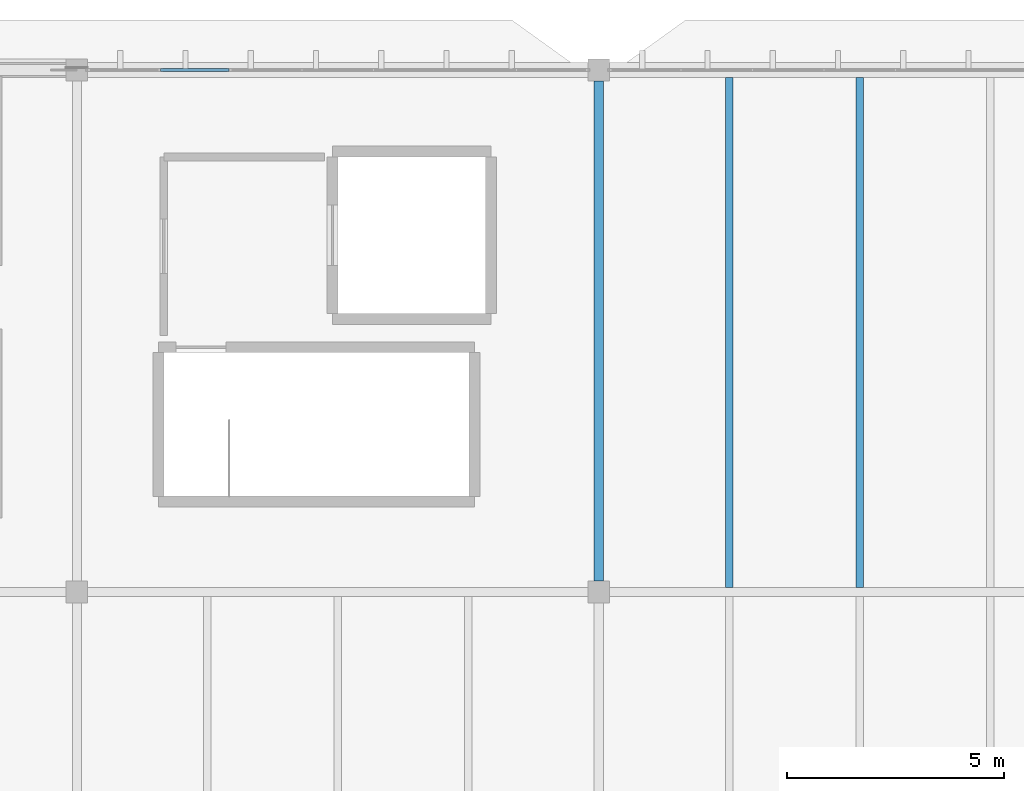
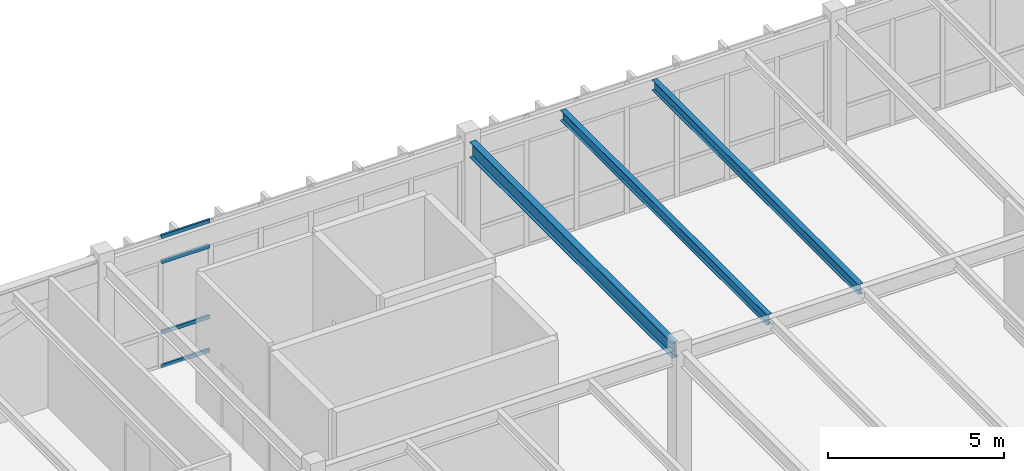
# One storey, part 110 of 236: 4 members, 3 beams, 1 element without a shape of its own.
"""IFC4 building model written with IfcOpenShell, lengths in metres."""

import ifcopenshell
import ifcopenshell.guid

model = None  # the IFC model being written
_history = None  # IfcOwnerHistory: only IFC2X3 demands one
_inside = {}  # id of a spatial element -> (the spatial element, [elements in it])
_under = {}  # id of a project, library or spatial element -> (it, [spatial elements below it])
_declared = {}  # id of a project -> (the project, [libraries it declares])
_typed = {}  # id of a type object -> (the type object, [elements of that type])
_made_of = {}  # id of a material, layer set ... -> (it, [elements and type objects made of it])


def new_model(schema):
    """Start an empty IFC model of exactly this schema.

    Asked for "IFC4X3", IfcOpenShell would pick the latest addendum, in which some entities
    have other attributes; the version numbers below select the first issue.
    IFC2X3 requires an IfcOwnerHistory on every rooted entity: one is made here for all.
    """
    global model, _history
    if schema == "IFC4X3":
        model = ifcopenshell.file(schema_version=(4, 3, 0, 0))
    else:
        model = ifcopenshell.file(schema=schema)
    _inside.clear()
    _under.clear()
    _declared.clear()
    _typed.clear()
    _made_of.clear()
    _history = None
    if model.schema == "IFC2X3":
        org = make("IfcOrganization", Name="unknown")
        user = make(
            "IfcPersonAndOrganization",
            ThePerson=make("IfcPerson", FamilyName="unknown"),
            TheOrganization=org,
        )
        app = make(
            "IfcApplication",
            ApplicationDeveloper=org,
            Version="unknown",
            ApplicationFullName="unknown",
            ApplicationIdentifier="unknown",
        )
        _history = make(
            "IfcOwnerHistory",
            OwningUser=user,
            OwningApplication=app,
            ChangeAction="ADDED",
            CreationDate=0,
        )
    return model


def make(cls, **values):
    """One entity of the class cls with the attributes given. An attribute that is None is left unset."""
    return model.create_entity(
        cls, **{name: value for name, value in values.items() if value is not None}
    )


def rooted(cls, **values):
    """An entity with a GlobalId (a new one), such as an element, a storey or a relation."""
    return make(cls, GlobalId=ifcopenshell.guid.new(), OwnerHistory=_history, **values)


def si_unit(unit_type, name, prefix=None):
    """IfcSIUnit, for example si_unit("LENGTHUNIT", "METRE", prefix="MILLI")."""
    return make("IfcSIUnit", UnitType=unit_type, Prefix=prefix, Name=name)


def assignment(units):
    """IfcUnitAssignment: the units of a project."""
    return None if units is None else make("IfcUnitAssignment", Units=units)


def point(xyz):
    """IfcCartesianPoint."""
    return None if xyz is None else make("IfcCartesianPoint", Coordinates=xyz)


def direction(xyz):
    """IfcDirection."""
    return None if xyz is None else make("IfcDirection", DirectionRatios=xyz)


def frame(location, z_axis=None, x_axis=None):
    """IfcAxis2Placement3D, a coordinate frame: its origin and axes. An axis left out is left unset."""
    return make(
        "IfcAxis2Placement3D",
        Location=point(location),
        Axis=direction(z_axis),
        RefDirection=direction(x_axis),
    )


def frame_2d(location, x_axis=None):
    """IfcAxis2Placement2D, a coordinate frame in the plane: its origin and x axis."""
    return make(
        "IfcAxis2Placement2D", Location=point(location), RefDirection=direction(x_axis)
    )


def origin():
    """The frame at (0, 0, 0) with its axes left unset."""
    return frame((0.0, 0.0, 0.0))


def origin_2d():
    """The frame at (0, 0) in the plane with its x axis left unset."""
    return frame_2d((0.0, 0.0))


def place(relative_to, where):
    """IfcLocalPlacement: puts the frame where relative to a parent placement (None: the world)."""
    return make(
        "IfcLocalPlacement", PlacementRelTo=relative_to, RelativePlacement=where
    )


def context(
    kind, dimensions, precision=None, world=None, true_north=None, identifier=None
):
    """IfcGeometricRepresentationContext, for example the 3D "Model" context."""
    return make(
        "IfcGeometricRepresentationContext",
        ContextIdentifier=identifier,
        ContextType=kind,
        CoordinateSpaceDimension=dimensions,
        Precision=precision,
        WorldCoordinateSystem=world,
        TrueNorth=true_north,
    )


def subcontext(parent, identifier, kind, view, scale=None):
    """IfcGeometricRepresentationSubContext, for example "Body" below "Model"."""
    return make(
        "IfcGeometricRepresentationSubContext",
        ContextIdentifier=identifier,
        ContextType=kind,
        ParentContext=parent,
        TargetScale=scale,
        TargetView=view,
    )


def project(units=None, contexts=None):
    """IfcProject with its units and contexts."""
    return rooted(
        "IfcProject",
        Name="project",
        RepresentationContexts=contexts,
        UnitsInContext=assignment(units),
    )


def spatial(cls, under=None, at=None, **own):
    """A site, building, storey or space (cls), placed at a placement, below another one or the project."""
    s = rooted(cls, ObjectPlacement=at, **own)
    if under is not None:
        _under.setdefault(under.id(), (under, []))[1].append(s)
    return s


def profile(cls, at=None, kind="AREA", **sizes):
    """A parametric profile (cls). Its sizes go by their IFC names, for example OverallWidth=200.0."""
    return make(cls, ProfileType=kind, Position=at, **sizes)


def hollow_rectangle(**sizes):
    """IfcRectangleHollowProfileDef."""
    return profile("IfcRectangleHollowProfileDef", **sizes)


def i_section(**sizes):
    """IfcIShapeProfileDef."""
    return profile("IfcIShapeProfileDef", **sizes)


def extrude(swept, where, along, depth):
    """IfcExtrudedAreaSolid: the profile swept, set in the frame where, extruded along a direction by depth."""
    return make(
        "IfcExtrudedAreaSolid",
        SweptArea=swept,
        Position=where,
        ExtrudedDirection=direction(along),
        Depth=depth,
    )


def shape(context_of_items, identifier, shape_type, items):
    """IfcShapeRepresentation: the items that make up one representation, for example the "Body"."""
    return make(
        "IfcShapeRepresentation",
        ContextOfItems=context_of_items,
        RepresentationIdentifier=identifier,
        RepresentationType=shape_type,
        Items=items,
    )


def material(Name=None, Category=None):
    """IfcMaterial."""
    return make("IfcMaterial", Name=Name, Category=Category)


def layer(
    of_material, thickness, ventilated=None, Name=None, Category=None, Priority=None
):
    """IfcMaterialLayer: one layer of a wall or slab, of a material (None: an air gap)."""
    return make(
        "IfcMaterialLayer",
        Material=of_material,
        LayerThickness=thickness,
        IsVentilated=ventilated,
        Name=Name,
        Category=Category,
        Priority=Priority,
    )


def layer_set(layers, Name=None):
    """IfcMaterialLayerSet."""
    return make("IfcMaterialLayerSet", MaterialLayers=layers, LayerSetName=Name)


def material_profile(
    of_material, cross_section, Name=None, Category=None, Priority=None
):
    """IfcMaterialProfile: a cross section and its material."""
    return make(
        "IfcMaterialProfile",
        Name=Name,
        Material=of_material,
        Profile=cross_section,
        Priority=Priority,
        Category=Category,
    )


def profile_set(profiles, Name=None, composite=None):
    """IfcMaterialProfileSet."""
    return make(
        "IfcMaterialProfileSet",
        Name=Name,
        MaterialProfiles=profiles,
        CompositeProfile=composite,
    )


def made_of(thing, what):
    """Note that an element or type object is made of a material, layer set ...; save() writes the relation."""
    if what is not None:
        _made_of.setdefault(what.id(), (what, []))[1].append(thing)
    return thing


def type_object(cls, material=None, **own):
    """A type object (cls), such as IfcWallType, which elements share."""
    return made_of(rooted(cls, **own), material)


def element(
    cls,
    number,
    at=None,
    inside=None,
    cuts=None,
    type_object=None,
    material=None,
    context=None,
    identifier="Body",
    shape_type=None,
    held_by="IfcProductDefinitionShape",
    body=None,
    shapes=None,
    **own,
):
    """One element of the class cls, such as IfcWall. Its Tag is "e" and its number.

    at: its placement. inside: the storey or other place that contains it. cuts: it is an
    opening in that element (IfcRelVoidsElement). A single representation is given by context,
    identifier, shape_type and body (its items); several are given by shapes. held_by: the class
    of the entity that holds the representations. save() writes the other relations.
    """
    e = rooted(cls, Tag="e%d" % number, ObjectPlacement=at, **own)
    if body is not None:
        shapes = [shape(context, identifier, shape_type, body)]
    if shapes is not None:
        e.Representation = make(held_by, Representations=shapes)
    if inside is not None:
        _inside.setdefault(inside.id(), (inside, []))[1].append(e)
    if cuts is not None:
        rooted(
            "IfcRelVoidsElement", RelatingBuildingElement=cuts, RelatedOpeningElement=e
        )
    if type_object is not None:
        _typed.setdefault(type_object.id(), (type_object, []))[1].append(e)
    return made_of(e, material)


def aggregate(whole, parts):
    """IfcRelAggregates: a whole, such as a stair, and the parts it consists of."""
    return rooted("IfcRelAggregates", RelatingObject=whole, RelatedObjects=parts)


def save(model, path):
    """Write the relations noted so far, then the file.

    IfcRelAggregates (storeys below a building ...), IfcRelContainedInSpatialStructure (elements
    in a storey), IfcRelDefinesByType, IfcRelAssociatesMaterial and IfcRelDeclares: one each for
    every whole, place, type object, material and project.
    """
    for whole, parts in _under.values():
        aggregate(whole, parts)
    for where, things in _inside.values():
        rooted(
            "IfcRelContainedInSpatialStructure",
            RelatedElements=things,
            RelatingStructure=where,
        )
    for kind, things in _typed.values():
        rooted("IfcRelDefinesByType", RelatedObjects=things, RelatingType=kind)
    for what, things in _made_of.values():
        rooted("IfcRelAssociatesMaterial", RelatedObjects=things, RelatingMaterial=what)
    for by, libraries in _declared.values():
        rooted("IfcRelDeclares", RelatingContext=by, RelatedDefinitions=libraries)
    model.write(path)


model = new_model("IFC4")

# Units and contexts
model_context = context("Model", 3, precision=1e-05, world=origin(), true_north=direction((0.0, 1.0)))
body_context = subcontext(model_context, "Body", "Model", "MODEL_VIEW")
ifc_project = project(units=[si_unit("LENGTHUNIT", "METRE"), si_unit("AREAUNIT", "SQUARE_METRE"), si_unit("VOLUMEUNIT", "CUBIC_METRE"), si_unit("PLANEANGLEUNIT", "RADIAN"), si_unit("MASSUNIT", "GRAM", prefix="KILO")], contexts=[model_context])

# Site, building, storey
site_placement = place(None, origin())
site = spatial("IfcSite", under=ifc_project, at=site_placement, CompositionType="ELEMENT")
building_placement = place(site_placement, origin())
building = spatial("IfcBuilding", under=site, at=building_placement, Name="Pandanus Reach Market Hall", CompositionType="ELEMENT")
storey_placement = place(building_placement, frame((0.0, 0.0, 5.39990234375)))
storey = spatial("IfcBuildingStorey", under=building, at=storey_placement, Name="L01", CompositionType="ELEMENT", Elevation=5.39990234375)

# Beam
ifc_material_1 = material(Name="Steel Grade 350 (350 MPa)", Category="steel")
ifc_material_profile_1 = material_profile(ifc_material_1, i_section(OverallWidth=0.208984375, OverallDepth=0.532958984375, WebThickness=0.01025390625, FlangeThickness=0.015625, at=origin_2d()), Name="530UB92.4", Category="LoadBearing")
ifc_profile_set_1 = profile_set([ifc_material_profile_1], Name="Steel Grade 350 (350 MPa)")
beam_type_1 = type_object("IfcBeamType", Name="BM-UB530-I", PredefinedType="BEAM", material=ifc_profile_set_1)
beam_placement = place(storey_placement, frame((120.0, 108.248046875, 4.193115234375), z_axis=(0.0, 1.0, 0.0), x_axis=(-1.0, 0.0, 0.0)))
element("IfcBeam", 1, at=beam_placement, inside=storey, type_object=beam_type_1, Name="Framing beam BM-UB530-I L01.880", PredefinedType="BEAM", context=body_context, shape_type="SweptSolid", body=[
    extrude(i_section(OverallWidth=0.208984375, OverallDepth=0.532958984375, WebThickness=0.01025390625, FlangeThickness=0.015625, at=origin_2d()), origin(), (0.0, 0.0, 1.0), 11.50390625),
])

# Curtain wall, members
ifc_material_2 = material(Name="Bronze anodised aluminium and low-E glass", Category="aluminium")
ifc_layer = layer(ifc_material_2, 0.159912109375, Name="CW-39")
ifc_layer_set = layer_set([ifc_layer], Name="Bronze anodised aluminium and low-E glass")
curtain_wall_type = type_object("IfcCurtainWallType", Name="CW-39", PredefinedType="NOTDEFINED", material=ifc_layer_set)
curtain_wall_placement = place(storey_placement, origin())
curtain_wall = element("IfcCurtainWall", 2, at=curtain_wall_placement, inside=storey, type_object=curtain_wall_type, Name="Glazed curtain wall CW-39 CW-0142", PredefinedType="NOTDEFINED")
ifc_material_3 = material(Name="Bronze anodised aluminium", Category="aluminium")
ifc_material_profile_2 = material_profile(ifc_material_3, hollow_rectangle(XDim=0.06494140625, YDim=0.1298828125, WallThickness=0.00390625, at=origin_2d()), Name="ALU65x130", Category="LoadBearing")
ifc_profile_set_2 = profile_set([ifc_material_profile_2], Name="Bronze anodised aluminium")
member_type = type_object("IfcMemberType", Name="CW-T1", PredefinedType="USERDEFINED", material=ifc_profile_set_2)
member_1_placement = place(storey_placement, frame((109.92529296875, 120.0, 0.03271484375), z_axis=(1.0, 0.0, 0.0), x_axis=(0.0, 1.0, 0.0)))
member_1 = element("IfcMember", 3, at=member_1_placement, type_object=member_type, Name="CW-39 transom 2.1", ObjectType="TRANSOM", PredefinedType="USERDEFINED", context=body_context, shape_type="SweptSolid", body=[
    extrude(hollow_rectangle(XDim=0.06494140625, YDim=0.1298828125, WallThickness=0.00390625, at=origin_2d()), origin(), (0.0, 0.0, 1.0), 1.577880859375),
])
member_2_placement = place(storey_placement, frame((109.92529296875, 120.0, 1.2001953125), z_axis=(1.0, 0.0, 0.0), x_axis=(0.0, 1.0, 0.0)))
member_2 = element("IfcMember", 4, at=member_2_placement, type_object=member_type, Name="CW-39 transom 2.2", ObjectType="TRANSOM", PredefinedType="USERDEFINED", context=body_context, shape_type="SweptSolid", body=[
    extrude(hollow_rectangle(XDim=0.06494140625, YDim=0.1298828125, WallThickness=0.00390625, at=origin_2d()), origin(), (0.0, 0.0, 1.0), 1.577880859375),
])
member_3_placement = place(storey_placement, frame((109.92529296875, 120.0, 3.650146484375), z_axis=(1.0, 0.0, 0.0), x_axis=(0.0, 1.0, 0.0)))
member_3 = element("IfcMember", 5, at=member_3_placement, type_object=member_type, Name="CW-39 transom 2.3", ObjectType="TRANSOM", PredefinedType="USERDEFINED", context=body_context, shape_type="SweptSolid", body=[
    extrude(hollow_rectangle(XDim=0.06494140625, YDim=0.1298828125, WallThickness=0.00390625, at=origin_2d()), origin(), (0.0, 0.0, 1.0), 1.577880859375),
])
member_4_placement = place(storey_placement, frame((109.92529296875, 120.0, 4.517578125), z_axis=(1.0, 0.0, 0.0), x_axis=(0.0, 1.0, 0.0)))
member_4 = element("IfcMember", 6, at=member_4_placement, type_object=member_type, Name="CW-39 transom 2.4", ObjectType="TRANSOM", PredefinedType="USERDEFINED", context=body_context, shape_type="SweptSolid", body=[
    extrude(hollow_rectangle(XDim=0.06494140625, YDim=0.1298828125, WallThickness=0.00390625, at=origin_2d()), origin(), (0.0, 0.0, 1.0), 1.577880859375),
])
aggregate(curtain_wall, [member_1, member_2, member_3, member_4])

# Beams
ifc_material_profile_3 = material_profile(ifc_material_1, i_section(OverallWidth=0.1708984375, OverallDepth=0.35595703125, WebThickness=0.00732421875, FlangeThickness=0.011474609375, at=origin_2d()), Name="360UB50.7", Category="LoadBearing")
ifc_profile_set_3 = profile_set([ifc_material_profile_3], Name="Steel Grade 350 (350 MPa)")
beam_type_2 = type_object("IfcBeamType", Name="JS-UB360-I", PredefinedType="JOIST", material=ifc_profile_set_3)
for number, where, z_axis, x_axis, name in (
    (7, (123.0, 108.1025390625, 4.28173828125), (0.0, 1.0, 0.0), (-1.0, 0.0, 0.0), "Secondary joist JS-UB360-I L01.912"),
    (8, (126.0, 108.1025390625, 4.28173828125), (0.0, 1.0, 0.0), (-1.0, 0.0, 0.0), "Secondary joist JS-UB360-I L01.913"),
):
    element("IfcBeam", number, at=place(storey_placement, frame(where, z_axis=z_axis, x_axis=x_axis)), inside=storey, type_object=beam_type_2, Name=name, PredefinedType="JOIST", context=body_context, shape_type="SweptSolid", body=[
        extrude(i_section(OverallWidth=0.1708984375, OverallDepth=0.35595703125, WebThickness=0.00732421875, FlangeThickness=0.011474609375, at=origin_2d()), origin(), (0.0, 0.0, 1.0), 11.724365234375),
    ])

save(model, "model.ifc")
